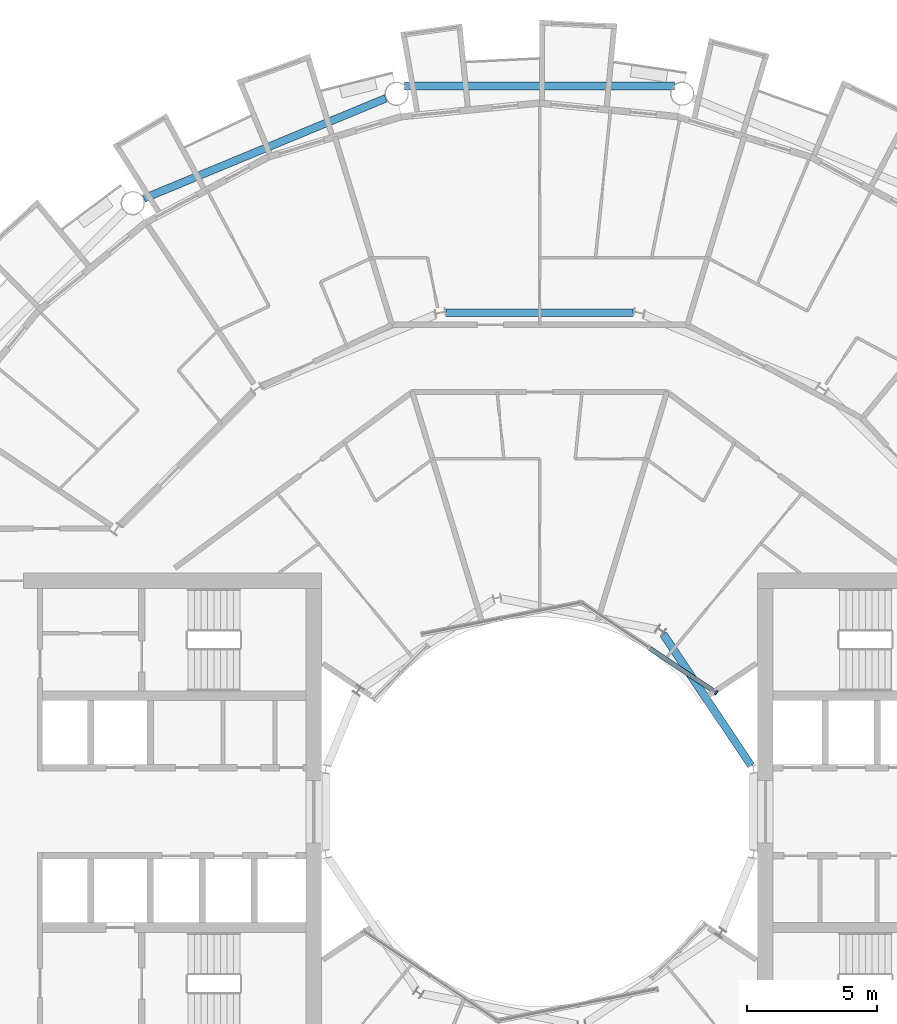
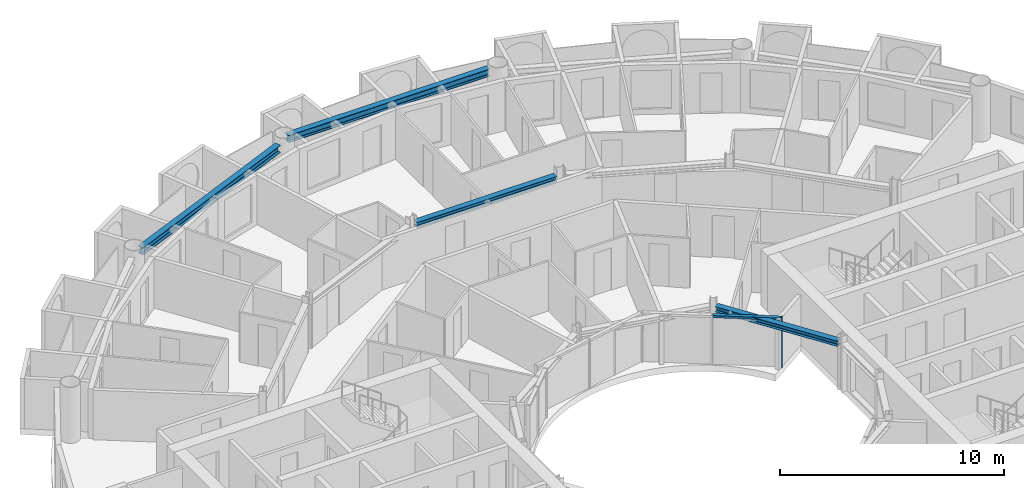
# One storey, part 9 of 27: 4 beams, 2 members, 1 element without a shape of its own.
"""IFC4 building model written with IfcOpenShell, lengths in metres."""

from ifc_helpers import new_model, si_unit, direction, frame, origin, origin_2d, place, context, subcontext, project, spatial, rectangle, i_section, extrude, material, layer, layer_set, material_profile, profile_set, type_object, element, aggregate, save


model = new_model("IFC4")

# Units and contexts
model_context = context("Model", 3, precision=1e-05, world=origin(), true_north=direction((0.0, 1.0)))
body_context = subcontext(model_context, "Body", "Model", "MODEL_VIEW")
ifc_project = project(units=[si_unit("LENGTHUNIT", "METRE"), si_unit("AREAUNIT", "SQUARE_METRE"), si_unit("VOLUMEUNIT", "CUBIC_METRE"), si_unit("PLANEANGLEUNIT", "RADIAN"), si_unit("MASSUNIT", "GRAM", prefix="KILO")], contexts=[model_context])

# Site, building, storey
site_placement = place(None, origin())
site = spatial("IfcSite", under=ifc_project, at=site_placement, CompositionType="ELEMENT")
building_placement = place(site_placement, origin())
building = spatial("IfcBuilding", under=site, at=building_placement, Name="Maasbend Ring Residences", CompositionType="ELEMENT")
storey_placement = place(building_placement, frame((0.0, 0.0, 120.800048828125)))
storey = spatial("IfcBuildingStorey", under=building, at=storey_placement, Name="L34", CompositionType="ELEMENT", Elevation=120.800048828125)

# Curtain wall, members
ifc_material_1 = material(Name="Aluminium and clear glass", Category="aluminium")
ifc_layer = layer(ifc_material_1, 0.179931640625)
ifc_layer_set = layer_set([ifc_layer], Name="CW-W")
curtain_wall_type = type_object("IfcCurtainWallType", Name="CW-W", PredefinedType="NOTDEFINED", material=ifc_layer_set)
curtain_wall_placement = place(storey_placement, origin())
curtain_wall = element("IfcCurtainWall", 1, at=curtain_wall_placement, inside=storey, type_object=curtain_wall_type, Name="Well curtain wall N1", PredefinedType="NOTDEFINED")
ifc_material_2 = material(Name="Aluminium 6063-T6", Category="aluminium")
ifc_material_profile_1 = material_profile(ifc_material_2, rectangle(XDim=0.179931640625, YDim=0.06005859375, at=origin_2d()), Name="AL 180x60")
ifc_profile_set_1 = profile_set([ifc_material_profile_1], Name="Aluminium 6063-T6")
member_type_1 = type_object("IfcMemberType", Name="CWM-W", PredefinedType="MULLION", material=ifc_profile_set_1)
member_1_placement = place(storey_placement, frame((6.805908203125, 4.580810546875, 0.0), z_axis=(0.0, 0.0, 1.0), x_axis=(-0.55557023302, -0.831469612303, 0.0)))
member_1 = element("IfcMember", 2, at=member_1_placement, type_object=member_type_1, Name="Mullion well face", PredefinedType="MULLION", context=body_context, shape_type="SweptSolid", body=[
    extrude(rectangle(XDim=0.179931640625, YDim=0.06005859375, at=origin_2d()), origin(), (0.0, 0.0, 1.0), 2.699951171875),
])
ifc_material_3 = material(Name="Aluminium 6063-T6", Category="aluminium")
ifc_material_profile_2 = material_profile(ifc_material_3, rectangle(XDim=0.179931640625, YDim=0.1201171875, at=origin_2d()), Name="AL 180x120")
ifc_profile_set_2 = profile_set([ifc_material_profile_2], Name="Aluminium 6063-T6")
member_type_2 = type_object("IfcMemberType", Name="CWT-W", PredefinedType="USERDEFINED", material=ifc_profile_set_2)
member_2_placement = place(storey_placement, frame((6.781005859375, 4.59765625, 2.639892578125), z_axis=(-0.831496422459, 0.555530106689, 0.0), x_axis=(-0.555530106689, -0.831496422459, 0.0)))
member_2 = element("IfcMember", 3, at=member_2_placement, type_object=member_type_2, Name="Transom well face", ObjectType="TRANSOM", PredefinedType="USERDEFINED", context=body_context, shape_type="SweptSolid", body=[
    extrude(rectangle(XDim=0.179931640625, YDim=0.1201171875, at=origin_2d()), origin(), (0.0, 0.0, 1.0), 3.053955078125),
])
aggregate(curtain_wall, [member_1, member_2])

# Beams
ifc_material_4 = material(Name="Steel S355J2", Category="steel")
ifc_material_profile_3 = material_profile(ifc_material_4, i_section(OverallWidth=0.300048828125, OverallDepth=0.2900390625, WebThickness=0.008544921875, FlangeThickness=0.013916015625, FilletRadius=0.027099609375, at=origin_2d()), Name="HEA 300")
ifc_profile_set_3 = profile_set([ifc_material_profile_3], Name="Steel S355J2")
beam_type_1 = type_object("IfcBeamType", Name="Corridor ring beam HEA 300", PredefinedType="BEAM", material=ifc_profile_set_3)
beam_1_placement = place(storey_placement, frame((3.603515625, 19.223388671875, 2.554931640625), z_axis=(-1.0, 0.0, 0.0), x_axis=(0.0, -1.0, 0.0)))
element("IfcBeam", 4, at=beam_1_placement, inside=storey, type_object=beam_type_1, Name="Corridor ring beam", PredefinedType="BEAM", context=body_context, shape_type="SweptSolid", body=[
    extrude(i_section(OverallWidth=0.300048828125, OverallDepth=0.2900390625, WebThickness=0.008544921875, FlangeThickness=0.013916015625, FilletRadius=0.027099609375, at=origin_2d()), origin(), (0.0, 0.0, 1.0), 7.20703125),
])
ifc_material_5 = material(Name="Steel S355J2", Category="steel")
ifc_material_profile_4 = material_profile(ifc_material_5, i_section(OverallWidth=0.300048828125, OverallDepth=0.39990234375, WebThickness=0.013427734375, FlangeThickness=0.02392578125, FilletRadius=0.027099609375, at=origin_2d()), Name="HEB 400")
ifc_profile_set_4 = profile_set([ifc_material_profile_4], Name="Steel S355J2")
beam_type_2 = type_object("IfcBeamType", Name="Spandrel ring beam HEB 400", PredefinedType="SPANDREL", material=ifc_profile_set_4)
beam_2_placement = place(storey_placement, frame((5.194580078125, 27.9580078125, 2.5), z_axis=(-1.0, 0.0, 0.0), x_axis=(0.0, -1.0, 0.0)))
element("IfcBeam", 5, at=beam_2_placement, inside=storey, type_object=beam_type_2, Name="Spandrel ring beam", PredefinedType="SPANDREL", context=body_context, shape_type="SweptSolid", body=[
    extrude(i_section(OverallWidth=0.300048828125, OverallDepth=0.39990234375, WebThickness=0.013427734375, FlangeThickness=0.02392578125, FilletRadius=0.027099609375, at=origin_2d()), origin(), (0.0, 0.0, 1.0), 10.38916015625),
])
beam_3_placement = place(storey_placement, frame((-5.923583984375, 27.483154296875, 2.5), z_axis=(-0.92388529709, -0.382669515144, 0.0), x_axis=(0.382669515144, -0.92388529709, 0.0)))
element("IfcBeam", 6, at=beam_3_placement, inside=storey, type_object=beam_type_2, Name="Spandrel ring beam", PredefinedType="SPANDREL", context=body_context, shape_type="SweptSolid", body=[
    extrude(i_section(OverallWidth=0.300048828125, OverallDepth=0.39990234375, WebThickness=0.013427734375, FlangeThickness=0.02392578125, FilletRadius=0.027099609375, at=origin_2d()), origin(), (0.0, 0.0, 1.0), 10.089111328125),
])
ifc_material_6 = material(Name="Steel S355J2", Category="steel")
ifc_material_profile_5 = material_profile(ifc_material_6, i_section(OverallWidth=0.300048828125, OverallDepth=0.2900390625, WebThickness=0.008544921875, FlangeThickness=0.013916015625, FilletRadius=0.027099609375, at=origin_2d()), Name="HEA 300")
ifc_profile_set_5 = profile_set([ifc_material_profile_5], Name="Steel S355J2")
beam_type_3 = type_object("IfcBeamType", Name="Well edge beam HEA 300", PredefinedType="BEAM", material=ifc_profile_set_5)
beam_4_placement = place(storey_placement, frame((8.1484375, 1.773681640625, 2.554931640625), z_axis=(-0.555558236289, 0.831477628137, 0.0), x_axis=(-0.831477628137, -0.555558236289, 0.0)))
element("IfcBeam", 7, at=beam_4_placement, inside=storey, type_object=beam_type_3, Name="Well edge beam", PredefinedType="BEAM", context=body_context, shape_type="SweptSolid", body=[
    extrude(i_section(OverallWidth=0.300048828125, OverallDepth=0.2900390625, WebThickness=0.008544921875, FlangeThickness=0.013916015625, FilletRadius=0.027099609375, at=origin_2d()), origin(), (0.0, 0.0, 1.0), 6.1044921875),
])

save(model, "model.ifc")
